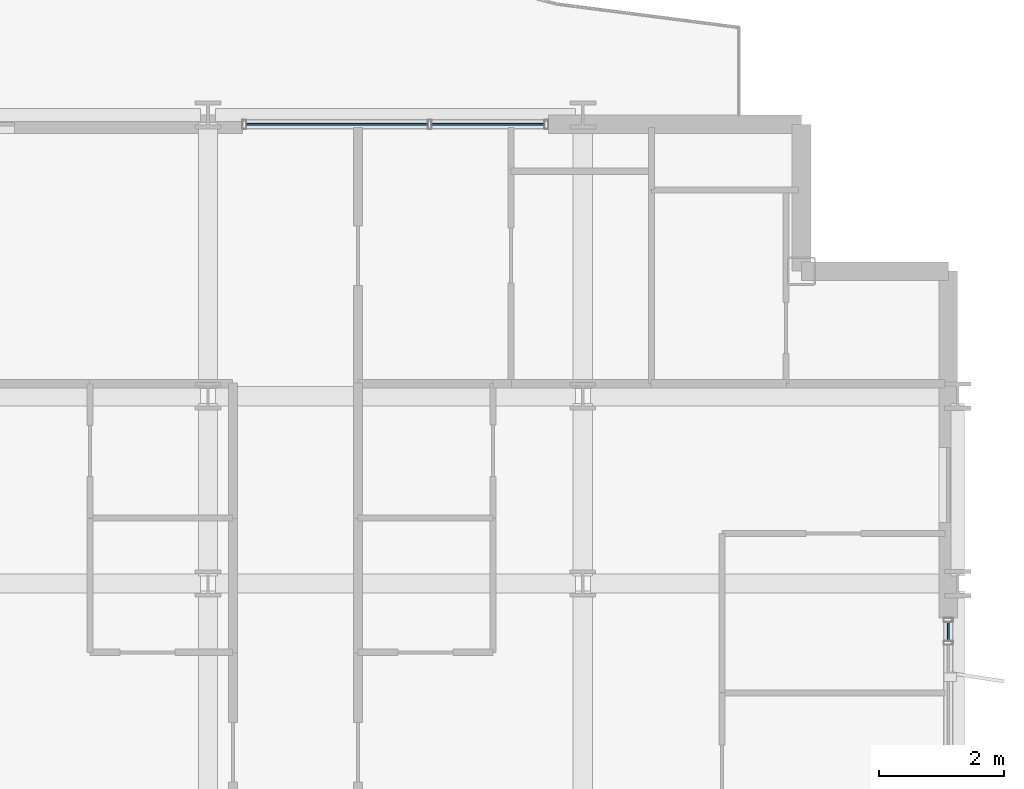
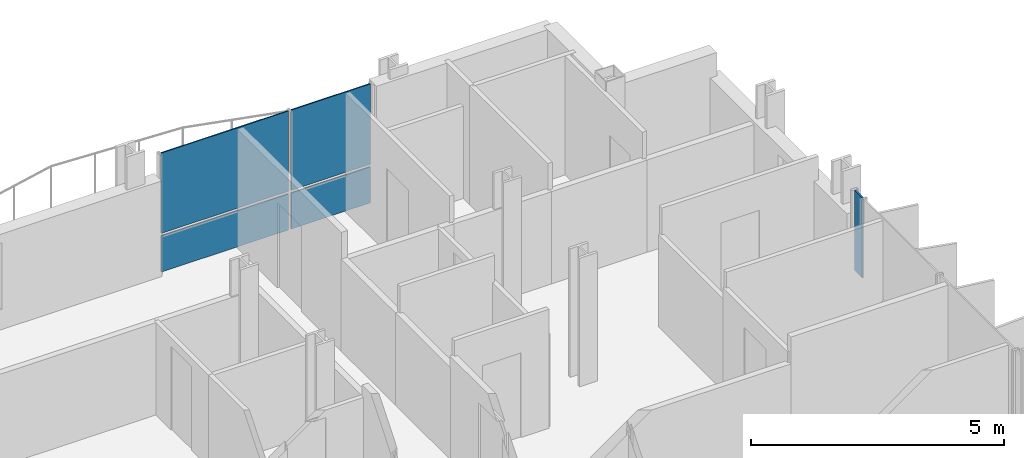
# One storey, part 24 of 39: 5 plates, 2 elements without a shape of their own.
"""IFC4 building model written with IfcOpenShell, lengths in metres."""

import ifcopenshell
import ifcopenshell.guid

model = None  # the IFC model being written
_history = None  # IfcOwnerHistory: only IFC2X3 demands one
_inside = {}  # id of a spatial element -> (the spatial element, [elements in it])
_under = {}  # id of a project, library or spatial element -> (it, [spatial elements below it])
_declared = {}  # id of a project -> (the project, [libraries it declares])
_typed = {}  # id of a type object -> (the type object, [elements of that type])
_made_of = {}  # id of a material, layer set ... -> (it, [elements and type objects made of it])


def new_model(schema):
    """Start an empty IFC model of exactly this schema.

    Asked for "IFC4X3", IfcOpenShell would pick the latest addendum, in which some entities
    have other attributes; the version numbers below select the first issue.
    IFC2X3 requires an IfcOwnerHistory on every rooted entity: one is made here for all.
    """
    global model, _history
    if schema == "IFC4X3":
        model = ifcopenshell.file(schema_version=(4, 3, 0, 0))
    else:
        model = ifcopenshell.file(schema=schema)
    _inside.clear()
    _under.clear()
    _declared.clear()
    _typed.clear()
    _made_of.clear()
    _history = None
    if model.schema == "IFC2X3":
        org = make("IfcOrganization", Name="unknown")
        user = make(
            "IfcPersonAndOrganization",
            ThePerson=make("IfcPerson", FamilyName="unknown"),
            TheOrganization=org,
        )
        app = make(
            "IfcApplication",
            ApplicationDeveloper=org,
            Version="unknown",
            ApplicationFullName="unknown",
            ApplicationIdentifier="unknown",
        )
        _history = make(
            "IfcOwnerHistory",
            OwningUser=user,
            OwningApplication=app,
            ChangeAction="ADDED",
            CreationDate=0,
        )
    return model


def make(cls, **values):
    """One entity of the class cls with the attributes given. An attribute that is None is left unset."""
    return model.create_entity(
        cls, **{name: value for name, value in values.items() if value is not None}
    )


def rooted(cls, **values):
    """An entity with a GlobalId (a new one), such as an element, a storey or a relation."""
    return make(cls, GlobalId=ifcopenshell.guid.new(), OwnerHistory=_history, **values)


def si_unit(unit_type, name, prefix=None):
    """IfcSIUnit, for example si_unit("LENGTHUNIT", "METRE", prefix="MILLI")."""
    return make("IfcSIUnit", UnitType=unit_type, Prefix=prefix, Name=name)


def assignment(units):
    """IfcUnitAssignment: the units of a project."""
    return None if units is None else make("IfcUnitAssignment", Units=units)


def point(xyz):
    """IfcCartesianPoint."""
    return None if xyz is None else make("IfcCartesianPoint", Coordinates=xyz)


def direction(xyz):
    """IfcDirection."""
    return None if xyz is None else make("IfcDirection", DirectionRatios=xyz)


def frame(location, z_axis=None, x_axis=None):
    """IfcAxis2Placement3D, a coordinate frame: its origin and axes. An axis left out is left unset."""
    return make(
        "IfcAxis2Placement3D",
        Location=point(location),
        Axis=direction(z_axis),
        RefDirection=direction(x_axis),
    )


def frame_2d(location, x_axis=None):
    """IfcAxis2Placement2D, a coordinate frame in the plane: its origin and x axis."""
    return make(
        "IfcAxis2Placement2D", Location=point(location), RefDirection=direction(x_axis)
    )


def origin():
    """The frame at (0, 0, 0) with its axes left unset."""
    return frame((0.0, 0.0, 0.0))


def origin_2d():
    """The frame at (0, 0) in the plane with its x axis left unset."""
    return frame_2d((0.0, 0.0))


def place(relative_to, where):
    """IfcLocalPlacement: puts the frame where relative to a parent placement (None: the world)."""
    return make(
        "IfcLocalPlacement", PlacementRelTo=relative_to, RelativePlacement=where
    )


def context(
    kind, dimensions, precision=None, world=None, true_north=None, identifier=None
):
    """IfcGeometricRepresentationContext, for example the 3D "Model" context."""
    return make(
        "IfcGeometricRepresentationContext",
        ContextIdentifier=identifier,
        ContextType=kind,
        CoordinateSpaceDimension=dimensions,
        Precision=precision,
        WorldCoordinateSystem=world,
        TrueNorth=true_north,
    )


def subcontext(parent, identifier, kind, view, scale=None):
    """IfcGeometricRepresentationSubContext, for example "Body" below "Model"."""
    return make(
        "IfcGeometricRepresentationSubContext",
        ContextIdentifier=identifier,
        ContextType=kind,
        ParentContext=parent,
        TargetScale=scale,
        TargetView=view,
    )


def project(units=None, contexts=None):
    """IfcProject with its units and contexts."""
    return rooted(
        "IfcProject",
        Name="project",
        RepresentationContexts=contexts,
        UnitsInContext=assignment(units),
    )


def spatial(cls, under=None, at=None, **own):
    """A site, building, storey or space (cls), placed at a placement, below another one or the project."""
    s = rooted(cls, ObjectPlacement=at, **own)
    if under is not None:
        _under.setdefault(under.id(), (under, []))[1].append(s)
    return s


def profile(cls, at=None, kind="AREA", **sizes):
    """A parametric profile (cls). Its sizes go by their IFC names, for example OverallWidth=200.0."""
    return make(cls, ProfileType=kind, Position=at, **sizes)


def rectangle(**sizes):
    """IfcRectangleProfileDef."""
    return profile("IfcRectangleProfileDef", **sizes)


def extrude(swept, where, along, depth):
    """IfcExtrudedAreaSolid: the profile swept, set in the frame where, extruded along a direction by depth."""
    return make(
        "IfcExtrudedAreaSolid",
        SweptArea=swept,
        Position=where,
        ExtrudedDirection=direction(along),
        Depth=depth,
    )


def shape(context_of_items, identifier, shape_type, items):
    """IfcShapeRepresentation: the items that make up one representation, for example the "Body"."""
    return make(
        "IfcShapeRepresentation",
        ContextOfItems=context_of_items,
        RepresentationIdentifier=identifier,
        RepresentationType=shape_type,
        Items=items,
    )


def material(Name=None, Category=None):
    """IfcMaterial."""
    return make("IfcMaterial", Name=Name, Category=Category)


def layer(
    of_material, thickness, ventilated=None, Name=None, Category=None, Priority=None
):
    """IfcMaterialLayer: one layer of a wall or slab, of a material (None: an air gap)."""
    return make(
        "IfcMaterialLayer",
        Material=of_material,
        LayerThickness=thickness,
        IsVentilated=ventilated,
        Name=Name,
        Category=Category,
        Priority=Priority,
    )


def layer_set(layers, Name=None):
    """IfcMaterialLayerSet."""
    return make("IfcMaterialLayerSet", MaterialLayers=layers, LayerSetName=Name)


def made_of(thing, what):
    """Note that an element or type object is made of a material, layer set ...; save() writes the relation."""
    if what is not None:
        _made_of.setdefault(what.id(), (what, []))[1].append(thing)
    return thing


def type_object(cls, material=None, **own):
    """A type object (cls), such as IfcWallType, which elements share."""
    return made_of(rooted(cls, **own), material)


def element(
    cls,
    number,
    at=None,
    inside=None,
    cuts=None,
    type_object=None,
    material=None,
    context=None,
    identifier="Body",
    shape_type=None,
    held_by="IfcProductDefinitionShape",
    body=None,
    shapes=None,
    **own,
):
    """One element of the class cls, such as IfcWall. Its Tag is "e" and its number.

    at: its placement. inside: the storey or other place that contains it. cuts: it is an
    opening in that element (IfcRelVoidsElement). A single representation is given by context,
    identifier, shape_type and body (its items); several are given by shapes. held_by: the class
    of the entity that holds the representations. save() writes the other relations.
    """
    e = rooted(cls, Tag="e%d" % number, ObjectPlacement=at, **own)
    if body is not None:
        shapes = [shape(context, identifier, shape_type, body)]
    if shapes is not None:
        e.Representation = make(held_by, Representations=shapes)
    if inside is not None:
        _inside.setdefault(inside.id(), (inside, []))[1].append(e)
    if cuts is not None:
        rooted(
            "IfcRelVoidsElement", RelatingBuildingElement=cuts, RelatedOpeningElement=e
        )
    if type_object is not None:
        _typed.setdefault(type_object.id(), (type_object, []))[1].append(e)
    return made_of(e, material)


def aggregate(whole, parts):
    """IfcRelAggregates: a whole, such as a stair, and the parts it consists of."""
    return rooted("IfcRelAggregates", RelatingObject=whole, RelatedObjects=parts)


def save(model, path):
    """Write the relations noted so far, then the file.

    IfcRelAggregates (storeys below a building ...), IfcRelContainedInSpatialStructure (elements
    in a storey), IfcRelDefinesByType, IfcRelAssociatesMaterial and IfcRelDeclares: one each for
    every whole, place, type object, material and project.
    """
    for whole, parts in _under.values():
        aggregate(whole, parts)
    for where, things in _inside.values():
        rooted(
            "IfcRelContainedInSpatialStructure",
            RelatedElements=things,
            RelatingStructure=where,
        )
    for kind, things in _typed.values():
        rooted("IfcRelDefinesByType", RelatedObjects=things, RelatingType=kind)
    for what, things in _made_of.values():
        rooted("IfcRelAssociatesMaterial", RelatedObjects=things, RelatingMaterial=what)
    for by, libraries in _declared.values():
        rooted("IfcRelDeclares", RelatingContext=by, RelatedDefinitions=libraries)
    model.write(path)


model = new_model("IFC4")

# Units and contexts
model_context = context("Model", 3, precision=1e-05, world=origin(), true_north=direction((0.0, 1.0)))
body_context = subcontext(model_context, "Body", "Model", "MODEL_VIEW")
ifc_project = project(units=[si_unit("LENGTHUNIT", "METRE"), si_unit("AREAUNIT", "SQUARE_METRE"), si_unit("VOLUMEUNIT", "CUBIC_METRE"), si_unit("PLANEANGLEUNIT", "RADIAN"), si_unit("MASSUNIT", "GRAM", prefix="KILO")], contexts=[model_context])

# Site, building, storey
site_placement = place(None, origin())
site = spatial("IfcSite", under=ifc_project, at=site_placement, CompositionType="ELEMENT")
building_placement = place(site_placement, origin())
building = spatial("IfcBuilding", under=site, at=building_placement, Name="Brevholm Reach", CompositionType="ELEMENT")
storey_placement = place(building_placement, frame((0.0, 0.0, 83.800048828125)))
storey = spatial("IfcBuildingStorey", under=building, at=storey_placement, Name="L24", CompositionType="ELEMENT", Elevation=83.800048828125)

# Curtain wall, plate
ifc_material_1 = material(Name="Dark Anodised Aluminium 6063-T6 and Solar-Control Glass", Category="aluminium")
ifc_layer_1 = layer(ifc_material_1, 0.14990234375)
ifc_layer_set_1 = layer_set([ifc_layer_1], Name="Dark Anodised Aluminium 6063-T6 and Solar-Control Glass")
curtain_wall_type = type_object("IfcCurtainWallType", Name="CW-01", PredefinedType="NOTDEFINED", material=ifc_layer_set_1)
curtain_wall_1_placement = place(storey_placement, origin())
curtain_wall_1 = element("IfcCurtainWall", 1, at=curtain_wall_1_placement, inside=storey, type_object=curtain_wall_type, Name="L24 Curtain Wall CW-01", PredefinedType="NOTDEFINED")
ifc_material_2 = material(Name="Dark Solar-Control Double-Glazed IGU Glass", Category="glass")
ifc_layer_2 = layer(ifc_material_2, 0.028076171875)
ifc_layer_set_2 = layer_set([ifc_layer_2], Name="Dark Solar-Control Double-Glazed IGU Glass")
plate_type = type_object("IfcPlateType", Name="CWP-GLZ-28", PredefinedType="CURTAIN_PANEL", material=ifc_layer_set_2)
plate_1_placement = place(storey_placement, frame((59.85009765625, 22.733642578125, 0.932373046875), z_axis=(0.0, 0.0, 1.0), x_axis=(0.0, 1.0, 0.0)))
plate_1 = element("IfcPlate", 2, at=plate_1_placement, type_object=plate_type, Name="CP-01 Glazing Panel 5.2", PredefinedType="CURTAIN_PANEL", context=body_context, shape_type="SweptSolid", body=[
    extrude(rectangle(XDim=0.302490234375, YDim=0.028076171875, at=origin_2d()), origin(), (0.0, 0.0, 1.0), 1.9375),
])
aggregate(curtain_wall_1, [plate_1])

# Curtain wall, plates
curtain_wall_2_placement = place(storey_placement, origin())
curtain_wall_2 = element("IfcCurtainWall", 3, at=curtain_wall_2_placement, inside=storey, type_object=curtain_wall_type, Name="L24 Curtain Wall CW-01", PredefinedType="NOTDEFINED")
plate_2_placement = place(storey_placement, frame((50.066162109375, 30.85009765625, 0.0), z_axis=(0.0, 0.0, 1.0), x_axis=(1.0, 0.0, 0.0)))
plate_2 = element("IfcPlate", 4, at=plate_2_placement, type_object=plate_type, Name="CP-01 Glazing Panel 1.1", PredefinedType="CURTAIN_PANEL", context=body_context, shape_type="SweptSolid", body=[
    extrude(rectangle(XDim=2.902587890625, YDim=0.028076171875, at=origin_2d()), origin(), (0.0, 0.0, 1.0), 0.867431640625),
])
plate_3_placement = place(storey_placement, frame((50.066162109375, 30.85009765625, 0.932373046875), z_axis=(0.0, 0.0, 1.0), x_axis=(1.0, 0.0, 0.0)))
plate_3 = element("IfcPlate", 5, at=plate_3_placement, type_object=plate_type, Name="CP-01 Glazing Panel 1.2", PredefinedType="CURTAIN_PANEL", context=body_context, shape_type="SweptSolid", body=[
    extrude(rectangle(XDim=2.902587890625, YDim=0.028076171875, at=origin_2d()), origin(), (0.0, 0.0, 1.0), 1.9375),
])
plate_4_placement = place(storey_placement, frame((52.483642578125, 30.85009765625, 0.0), z_axis=(0.0, 0.0, 1.0), x_axis=(1.0, 0.0, 0.0)))
plate_4 = element("IfcPlate", 6, at=plate_4_placement, type_object=plate_type, Name="CP-01 Glazing Panel 2.1", PredefinedType="CURTAIN_PANEL", context=body_context, shape_type="SweptSolid", body=[
    extrude(rectangle(XDim=1.802490234375, YDim=0.028076171875, at=origin_2d()), origin(), (0.0, 0.0, 1.0), 0.867431640625),
])
plate_5_placement = place(storey_placement, frame((52.483642578125, 30.85009765625, 0.932373046875), z_axis=(0.0, 0.0, 1.0), x_axis=(1.0, 0.0, 0.0)))
plate_5 = element("IfcPlate", 7, at=plate_5_placement, type_object=plate_type, Name="CP-01 Glazing Panel 2.2", PredefinedType="CURTAIN_PANEL", context=body_context, shape_type="SweptSolid", body=[
    extrude(rectangle(XDim=1.802490234375, YDim=0.028076171875, at=origin_2d()), origin(), (0.0, 0.0, 1.0), 1.9375),
])
aggregate(curtain_wall_2, [plate_2, plate_3, plate_4, plate_5])

save(model, "model.ifc")
